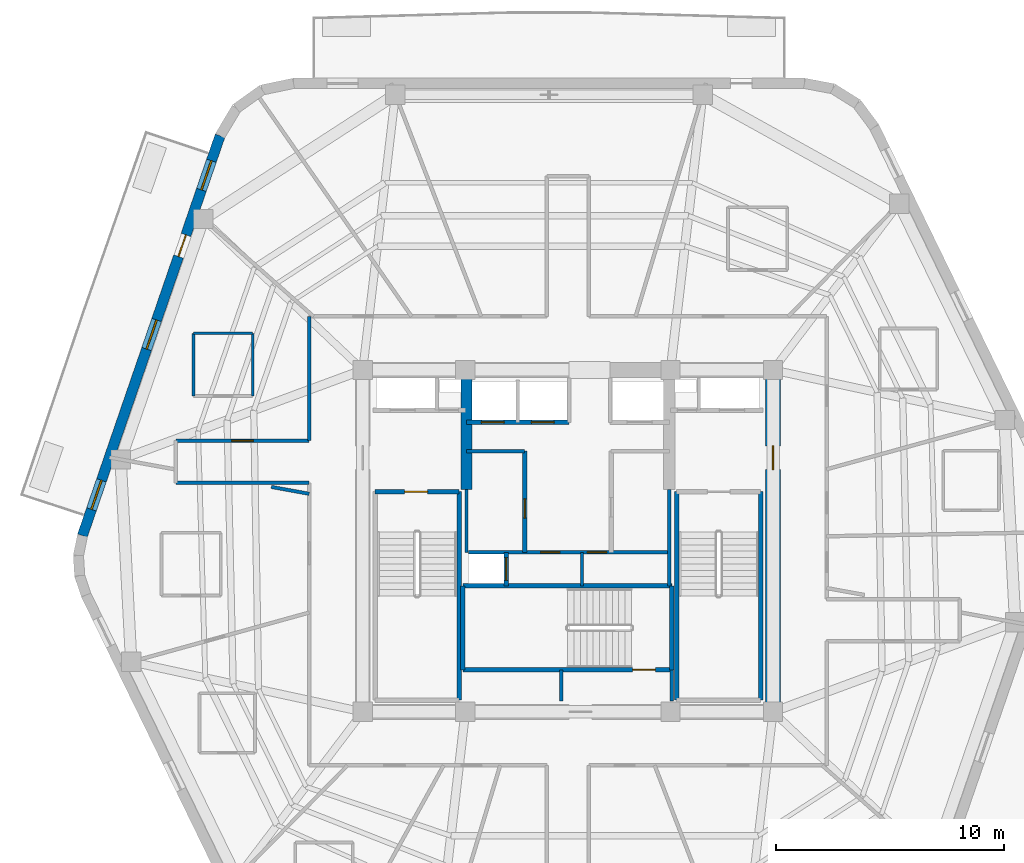
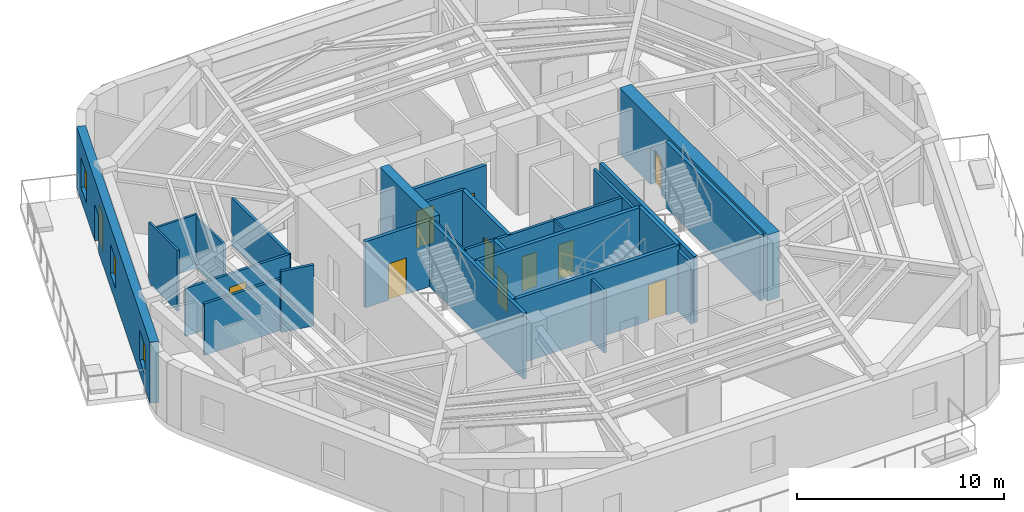
# One storey, part 4 of 9: 28 walls, 11 doors, 3 windows, 14 openings.
"""IFC4 building model written with IfcOpenShell, lengths in metres."""

from ifc_helpers import new_model, si_unit, direction, frame, frame_2d, origin, place, context, subcontext, project, spatial, rectangle, extrude, material, layer, layer_set, type_object, element, fill, save


model = new_model("IFC4")

# Units and contexts
model_context = context("Model", 3, precision=1e-05, world=origin(), true_north=direction((0.0, 1.0)))
body_context = subcontext(model_context, "Body", "Model", "MODEL_VIEW")
ifc_project = project(units=[si_unit("LENGTHUNIT", "METRE"), si_unit("AREAUNIT", "SQUARE_METRE"), si_unit("VOLUMEUNIT", "CUBIC_METRE"), si_unit("PLANEANGLEUNIT", "RADIAN"), si_unit("MASSUNIT", "GRAM", prefix="KILO")], contexts=[model_context])

# Site, building, storey
site_placement = place(None, origin())
site = spatial("IfcSite", under=ifc_project, at=site_placement, CompositionType="ELEMENT")
building_placement = place(site_placement, origin())
building = spatial("IfcBuilding", under=site, at=building_placement, Name="Kilnhurst Terrace Hotel", CompositionType="ELEMENT")
storey_placement = place(building_placement, frame((0.0, 0.0, 297.60009765625)))
storey = spatial("IfcBuildingStorey", under=building, at=storey_placement, Name="L74", CompositionType="ELEMENT", Elevation=297.60009765625)

# Wall, openings, door, windows
ifc_material_1 = material(Name="Precast concrete C40/50", Category="concrete")
ifc_layer_1 = layer(ifc_material_1, 0.449951171875, Name="Precast concrete C40/50")
ifc_layer_set_1 = layer_set([ifc_layer_1], Name="Precast concrete C40/50")
wall_type_1 = type_object("IfcWallType", Name="WL-BRK-450", PredefinedType="SOLIDWALL", material=ifc_layer_set_1)
wall_1_placement = place(storey_placement, frame((-15.260498046875, 17.776123046875, 0.0), z_axis=(0.0, 0.0, 1.0), x_axis=(-0.325407437101, -0.945573899745, 0.0)))
wall_1 = element("IfcWall", 1, at=wall_1_placement, inside=storey, type_object=wall_type_1, Name="L74 Exterior Brick Facade Wall F5", PredefinedType="SOLIDWALL", context=body_context, shape_type="SweptSolid", body=[
    extrude(rectangle(XDim=18.552490234375, YDim=0.449951171875, at=frame_2d((9.2763671875, 0.0))), origin(), (0.0, 0.0, 1.0), 3.599853515625),
])
opening_1_placement = place(wall_1_placement, frame((4.60205078125, 0.0, 0.0)))
opening_1 = element("IfcOpeningElement", 2, at=opening_1_placement, cuts=wall_1, Name="Opening BD-1000", PredefinedType="OPENING", context=body_context, shape_type="SweptSolid", body=[
    extrude(rectangle(XDim=1.0, YDim=2.14990234375, at=frame_2d((0.5, 1.074951171875))), frame((0.0, 0.23486328125, 0.0), z_axis=(0.0, -1.0, 0.0), x_axis=(1.0, 0.0, 0.0)), (0.0, 0.0, 1.0), 0.469970703125),
])
opening_2_placement = place(wall_1_placement, frame((1.160888671875, 0.0, 0.800048828125)))
opening_2 = element("IfcOpeningElement", 3, at=opening_2_placement, cuts=wall_1, Name="Opening W-06", PredefinedType="OPENING", context=body_context, shape_type="SweptSolid", body=[
    extrude(rectangle(XDim=1.35009765625, YDim=1.75, at=frame_2d((0.675048828125, 0.875))), frame((0.0, 0.23486328125, 0.0), z_axis=(0.0, -1.0, 0.0), x_axis=(1.0, 0.0, 0.0)), (0.0, 0.0, 1.0), 0.469970703125),
])
opening_3_placement = place(wall_1_placement, frame((8.548095703125, 0.0, 0.800048828125)))
opening_3 = element("IfcOpeningElement", 4, at=opening_3_placement, cuts=wall_1, Name="Opening W-06", PredefinedType="OPENING", context=body_context, shape_type="SweptSolid", body=[
    extrude(rectangle(XDim=1.35009765625, YDim=1.75, at=frame_2d((0.675048828125, 0.875))), frame((0.0, 0.23486328125, 0.0), z_axis=(0.0, -1.0, 0.0), x_axis=(1.0, 0.0, 0.0)), (0.0, 0.0, 1.0), 0.469970703125),
])
opening_4_placement = place(wall_1_placement, frame((15.987060546875, 0.0, 0.800048828125)))
opening_4 = element("IfcOpeningElement", 5, at=opening_4_placement, cuts=wall_1, Name="Opening W-06", PredefinedType="OPENING", context=body_context, shape_type="SweptSolid", body=[
    extrude(rectangle(XDim=1.35009765625, YDim=1.75, at=frame_2d((0.675048828125, 0.875))), frame((0.0, 0.23486328125, 0.0), z_axis=(0.0, -1.0, 0.0), x_axis=(1.0, 0.0, 0.0)), (0.0, 0.0, 1.0), 0.469970703125),
])
ifc_material_2 = material(Name="Thermally Broken Bronze Aluminium Alloy 6063-T6 and Laminated Glass", Category="aluminium")
door_type_1 = type_object("IfcDoorType", Name="DR-EXT-BAL-1000", OperationType="NOTDEFINED", PredefinedType="DOOR", material=ifc_material_2)
door_1_placement = place(opening_1_placement, origin())
door_1 = element("IfcDoor", 6, at=door_1_placement, inside=storey, type_object=door_type_1, Name="L74 Planted Balcony Door BAL-L2B", OperationType="SINGLE_SWING_LEFT", OverallHeight=2.14990234375, OverallWidth=1.0, PredefinedType="DOOR", context=body_context, shape_type="SweptSolid", body=[
    extrude(rectangle(XDim=1.0, YDim=2.14990234375, at=frame_2d((0.5, 1.074951171875))), frame((0.0, 0.02490234375, 0.0), z_axis=(0.0, -1.0, 0.0), x_axis=(1.0, 0.0, 0.0)), (0.0, 0.0, 1.0), 0.050048828125),
])
fill(opening_1, door_1)
ifc_material_3 = material(Name="Thermally Broken Bronze Aluminium Alloy 6063-T6 and Low-E Glass", Category="aluminium")
window_type = type_object("IfcWindowType", Name="WIN-1350X1750", PartitioningType="SINGLE_PANEL", PredefinedType="WINDOW", material=ifc_material_3)
window_1_placement = place(opening_2_placement, origin())
window_1 = element("IfcWindow", 7, at=window_1_placement, inside=storey, type_object=window_type, Name="L74 Deep-Set Masonry Window F5.1", OverallHeight=1.75, OverallWidth=1.35009765625, PartitioningType="SINGLE_PANEL", PredefinedType="WINDOW", context=body_context, shape_type="SweptSolid", body=[
    extrude(rectangle(XDim=1.35009765625, YDim=1.75, at=frame_2d((0.675048828125, 0.875))), frame((0.0, 0.030029296875, 0.0), z_axis=(0.0, -1.0, 0.0), x_axis=(1.0, 0.0, 0.0)), (0.0, 0.0, 1.0), 0.06005859375),
])
fill(opening_2, window_1)
window_2_placement = place(opening_3_placement, origin())
window_2 = element("IfcWindow", 8, at=window_2_placement, inside=storey, type_object=window_type, Name="L74 Deep-Set Masonry Window F5.2", OverallHeight=1.75, OverallWidth=1.35009765625, PartitioningType="SINGLE_PANEL", PredefinedType="WINDOW", context=body_context, shape_type="SweptSolid", body=[
    extrude(rectangle(XDim=1.35009765625, YDim=1.75, at=frame_2d((0.675048828125, 0.875))), frame((0.0, 0.030029296875, 0.0), z_axis=(0.0, -1.0, 0.0), x_axis=(1.0, 0.0, 0.0)), (0.0, 0.0, 1.0), 0.06005859375),
])
fill(opening_3, window_2)
window_3_placement = place(opening_4_placement, origin())
window_3 = element("IfcWindow", 9, at=window_3_placement, inside=storey, type_object=window_type, Name="L74 Deep-Set Masonry Window F5.3", OverallHeight=1.75, OverallWidth=1.35009765625, PartitioningType="SINGLE_PANEL", PredefinedType="WINDOW", context=body_context, shape_type="SweptSolid", body=[
    extrude(rectangle(XDim=1.35009765625, YDim=1.75, at=frame_2d((0.675048828125, 0.875))), frame((0.0, 0.030029296875, 0.0), z_axis=(0.0, -1.0, 0.0), x_axis=(1.0, 0.0, 0.0)), (0.0, 0.0, 1.0), 0.06005859375),
])
fill(opening_4, window_3)

# Wall
ifc_material_4 = material(Name="Acoustic Double-Gypsum Corridor Partition Assembly")
ifc_layer_2 = layer(ifc_material_4, 0.14990234375, Name="Acoustic Double-Gypsum Corridor Partition Assembly")
ifc_layer_set_2 = layer_set([ifc_layer_2], Name="Acoustic Double-Gypsum Corridor Partition Assembly")
wall_type_2 = type_object("IfcWallType", Name="WL-COR-150", PredefinedType="PARTITIONING", material=ifc_layer_set_2)
wall_2_placement = place(storey_placement, frame((-11.35009765625, 2.550048828125, 0.0), z_axis=(0.0, 0.0, 1.0), x_axis=(-1.0, 0.0, 0.0)))
element("IfcWall", 10, at=wall_2_placement, inside=storey, type_object=wall_type_2, Name="L74 Interior Wall WL-L74-COR-02", PredefinedType="PARTITIONING", context=body_context, shape_type="SweptSolid", body=[
    extrude(rectangle(XDim=5.849853515625, YDim=0.14990234375, at=frame_2d((2.9248046875, 0.0))), origin(), (0.0, 0.0, 1.0), 3.040283203125),
])

# Wall, opening, door
wall_3_placement = place(storey_placement, frame((-17.199951171875, 4.39990234375, 0.0), z_axis=(0.0, 0.0, 1.0), x_axis=(1.0, 0.0, 0.0)))
wall_3 = element("IfcWall", 11, at=wall_3_placement, inside=storey, type_object=wall_type_2, Name="L74 Interior Wall WL-L74-COR-04", PredefinedType="PARTITIONING", context=body_context, shape_type="SweptSolid", body=[
    extrude(rectangle(XDim=5.849853515625, YDim=0.14990234375, at=frame_2d((2.9248046875, 0.0))), origin(), (0.0, 0.0, 1.0), 2.81640625),
])
opening_5_placement = place(wall_3_placement, frame((2.449951171875, 0.0, 0.0)))
opening_5 = element("IfcOpeningElement", 12, at=opening_5_placement, cuts=wall_3, Name="Opening D-60B", PredefinedType="OPENING", context=body_context, shape_type="SweptSolid", body=[
    extrude(rectangle(XDim=0.949951171875, YDim=2.030029296875, at=frame_2d((0.47509765625, 1.01513671875))), frame((0.0, 0.0849609375, 0.0), z_axis=(0.0, -1.0, 0.0), x_axis=(1.0, 0.0, 0.0)), (0.0, 0.0, 1.0), 0.169921875),
])
ifc_material_5 = material(Name="Acoustic Walnut Veneer Solid-Core Fire Door")
door_type_2 = type_object("IfcDoorType", Name="DR-FD60-950", OperationType="NOTDEFINED", PredefinedType="DOOR", material=ifc_material_5)
door_2_placement = place(opening_5_placement, origin())
door_2 = element("IfcDoor", 13, at=door_2_placement, inside=storey, type_object=door_type_2, Name="L74 Executive Suite Entry Door 7", OperationType="SINGLE_SWING_LEFT", OverallHeight=2.030029296875, OverallWidth=0.949951171875, PredefinedType="DOOR", context=body_context, shape_type="SweptSolid", body=[
    extrude(rectangle(XDim=0.949951171875, YDim=2.030029296875, at=frame_2d((0.47509765625, 1.01513671875))), frame((0.0, 0.02490234375, 0.0), z_axis=(0.0, -1.0, 0.0), x_axis=(1.0, 0.0, 0.0)), (0.0, 0.0, 1.0), 0.050048828125),
])
fill(opening_5, door_2)

# Wall
wall_4_placement = place(storey_placement, frame((-11.35009765625, 4.39990234375, 0.0), z_axis=(0.0, 0.0, 1.0), x_axis=(0.0, 1.0, 0.0)))
element("IfcWall", 14, at=wall_4_placement, inside=storey, type_object=wall_type_2, Name="L74 Interior Wall WL-L74-COR-05", PredefinedType="PARTITIONING", context=body_context, shape_type="SweptSolid", body=[
    extrude(rectangle(XDim=5.4501953125, YDim=0.14990234375, at=frame_2d((2.72509765625, 0.0))), origin(), (0.0, 0.0, 1.0), 2.81640625),
])

# Wall, opening, door
ifc_material_6 = material(Name="Concrete C60/75", Category="concrete")
ifc_layer_3 = layer(ifc_material_6, 0.64990234375, Name="Concrete C60/75")
ifc_layer_set_3 = layer_set([ifc_layer_3], Name="Concrete C60/75")
wall_type_3 = type_object("IfcWallType", Name="WL-CORE-650", PredefinedType="SHEAR", material=ifc_layer_set_3)
wall_5_placement = place(storey_placement, frame((9.0, -7.175048828125, 0.0), z_axis=(0.0, 0.0, 1.0), x_axis=(0.0, 1.0, 0.0)))
wall_5 = element("IfcWall", 15, at=wall_5_placement, inside=storey, type_object=wall_type_3, Name="L74 Core East Shear Wall", PredefinedType="SHEAR", context=body_context, shape_type="SweptSolid", body=[
    extrude(rectangle(XDim=14.35009765625, YDim=0.64990234375, at=frame_2d((7.175048828125, 0.0))), origin(), (0.0, 0.0, 1.0), 3.89990234375),
])
opening_6_placement = place(wall_5_placement, frame((10.300048828125, 0.0, 0.0)))
opening_6 = element("IfcOpeningElement", 16, at=opening_6_placement, cuts=wall_5, Name="Opening D-90A", PredefinedType="OPENING", context=body_context, shape_type="SweptSolid", body=[
    extrude(rectangle(XDim=1.050048828125, YDim=2.14990234375, at=frame_2d((0.52490234375, 1.074951171875))), frame((0.0, 0.3349609375, 0.0), z_axis=(0.0, -1.0, 0.0), x_axis=(1.0, 0.0, 0.0)), (0.0, 0.0, 1.0), 0.669921875),
])
ifc_material_7 = material(Name="Painted Hollow Metal Steel ASTM A36 Fire Door", Category="steel")
door_type_3 = type_object("IfcDoorType", Name="DR-FD90-1050", OperationType="NOTDEFINED", PredefinedType="DOOR", material=ifc_material_7)
door_3_placement = place(opening_6_placement, origin())
door_3 = element("IfcDoor", 17, at=door_3_placement, inside=storey, type_object=door_type_3, Name="L74 East Firefighting Lobby Door", OperationType="SINGLE_SWING_LEFT", OverallHeight=2.14990234375, OverallWidth=1.050048828125, PredefinedType="DOOR", context=body_context, shape_type="SweptSolid", body=[
    extrude(rectangle(XDim=1.050048828125, YDim=2.14990234375, at=frame_2d((0.52490234375, 1.074951171875))), frame((0.0, 0.02490234375, 0.0), z_axis=(0.0, -1.0, 0.0), x_axis=(1.0, 0.0, 0.0)), (0.0, 0.0, 1.0), 0.050048828125),
])
fill(opening_6, door_3)

# Walls
ifc_layer_4 = layer(ifc_material_6, 0.5, Name="Concrete C60/75")
ifc_layer_set_4 = layer_set([ifc_layer_4], Name="Concrete C60/75")
wall_type_4 = type_object("IfcWallType", Name="WL-CORE-WEB-500", PredefinedType="SHEAR", material=ifc_layer_set_4)
wall_6_placement = place(storey_placement, frame((-4.449951171875, 2.25, 0.0), z_axis=(0.0, 0.0, 1.0), x_axis=(0.0, 1.0, 0.0)))
element("IfcWall", 18, at=wall_6_placement, inside=storey, type_object=wall_type_4, Name="L74 Core Internal West Shear Web", PredefinedType="SHEAR", context=body_context, shape_type="SweptSolid", body=[
    extrude(rectangle(XDim=4.925048828125, YDim=0.5, at=frame_2d((2.46240234375, 0.0))), origin(), (0.0, 0.0, 1.0), 3.89990234375),
])
ifc_material_8 = material(Name="STC-58 Acoustic Twin-Frame Guestroom Demising Partition")
ifc_layer_5 = layer(ifc_material_8, 0.14990234375, Name="STC-58 Acoustic Twin-Frame Guestroom Demising Partition")
ifc_layer_set_5 = layer_set([ifc_layer_5], Name="STC-58 Acoustic Twin-Frame Guestroom Demising Partition")
wall_type_5 = type_object("IfcWallType", Name="WL-DEM-150", PredefinedType="PARTITIONING", material=ifc_layer_set_5)
wall_7_placement = place(storey_placement, frame((-11.35009765625, 2.067138671875, 0.0), z_axis=(0.0, 0.0, 1.0), x_axis=(-0.983807459651, 0.179228575665, 0.0)))
element("IfcWall", 19, at=wall_7_placement, inside=storey, type_object=wall_type_5, Name="L74 Interior Wall WL-L74-DEM-COL06-08-1", PredefinedType="PARTITIONING", context=body_context, shape_type="SweptSolid", body=[
    extrude(rectangle(XDim=1.6904296875, YDim=0.14990234375, at=frame_2d((0.84521484375, 0.0))), origin(), (0.0, 0.0, 1.0), 3.599853515625),
])
ifc_material_9 = material(Name="120 mm Moisture-Resistant Tile-Backed Bathroom Partition")
ifc_layer_6 = layer(ifc_material_9, 0.1201171875, Name="120 mm Moisture-Resistant Tile-Backed Bathroom Partition")
ifc_layer_set_6 = layer_set([ifc_layer_6], Name="120 mm Moisture-Resistant Tile-Backed Bathroom Partition")
wall_type_6 = type_object("IfcWallType", Name="WL-PART-120", PredefinedType="PARTITIONING", material=ifc_layer_set_6)
wall_8_placement = place(storey_placement, frame((0.6201171875, -1.971923828125, 0.0), z_axis=(0.0, 0.0, 1.0), x_axis=(0.0, 1.0, 0.0)))
element("IfcWall", 20, at=wall_8_placement, inside=storey, type_object=wall_type_6, Name="L74 Interior Wall WL-L74-BOH-C1", PredefinedType="PARTITIONING", context=body_context, shape_type="SweptSolid", body=[
    extrude(rectangle(XDim=1.471923828125, YDim=0.1201171875, at=frame_2d((0.73583984375, 0.0))), origin(), (0.0, 0.0, 1.0), 3.599853515625),
])
wall_9_placement = place(storey_placement, frame((-13.827880859375, 6.35888671875, 0.0), z_axis=(0.0, 0.0, 1.0), x_axis=(0.0, 1.0, 0.0)))
element("IfcWall", 21, at=wall_9_placement, inside=storey, type_object=wall_type_6, Name="L74 Interior Wall WL-L74-BTH-07-2", PredefinedType="PARTITIONING", context=body_context, shape_type="SweptSolid", body=[
    extrude(rectangle(XDim=2.75, YDim=0.1201171875, at=frame_2d((1.375, 0.0))), origin(), (0.0, 0.0, 1.0), 3.040283203125),
])
wall_10_placement = place(storey_placement, frame((-13.827880859375, 9.10888671875, 0.0), z_axis=(0.0, 0.0, 1.0), x_axis=(-1.0, 0.0, 0.0)))
element("IfcWall", 22, at=wall_10_placement, inside=storey, type_object=wall_type_6, Name="L74 Interior Wall WL-L74-BTH-07-3", PredefinedType="PARTITIONING", context=body_context, shape_type="SweptSolid", body=[
    extrude(rectangle(XDim=2.60009765625, YDim=0.1201171875, at=frame_2d((1.300048828125, 0.0))), origin(), (0.0, 0.0, 1.0), 3.17236328125),
])
wall_11_placement = place(storey_placement, frame((-16.427978515625, 9.10888671875, 0.0), z_axis=(0.0, 0.0, 1.0), x_axis=(0.0, -1.0, 0.0)))
element("IfcWall", 23, at=wall_11_placement, inside=storey, type_object=wall_type_6, Name="L74 Interior Wall WL-L74-BTH-07-4", PredefinedType="PARTITIONING", context=body_context, shape_type="SweptSolid", body=[
    extrude(rectangle(XDim=2.75, YDim=0.1201171875, at=frame_2d((1.375, 0.0))), origin(), (0.0, 0.0, 1.0), 3.599853515625),
])
ifc_material_10 = material(Name="Fire-Rated Gypsum Shaftliner Assembly")
ifc_layer_7 = layer(ifc_material_10, 0.14990234375, Name="Fire-Rated Gypsum Shaftliner Assembly")
ifc_layer_set_7 = layer_set([ifc_layer_7], Name="Fire-Rated Gypsum Shaftliner Assembly")
wall_type_7 = type_object("IfcWallType", Name="WL-SHAFT-150", PredefinedType="PARTITIONING", material=ifc_layer_set_7)
for number, where, z_axis, x_axis, name in (
    (24, (-0.300048828125, -7.02001953125, 0.0), (0.0, 0.0, 1.0), (0.0, 1.0, 0.0), "L74 Interior Wall WL-L74-ST3-PSGW"),
    (25, (4.55810546875, -7.02001953125, 0.0), (0.0, 0.0, 1.0), (0.0, 1.0, 0.0), "L74 Interior Wall WL-L74-ST3-PSGE"),
):
    element("IfcWall", number, at=place(storey_placement, frame(where, z_axis=z_axis, x_axis=x_axis)), inside=storey, type_object=wall_type_7, Name=name, PredefinedType="PARTITIONING", context=body_context, shape_type="SweptSolid", body=[
        extrude(rectangle(XDim=1.362060546875, YDim=0.14990234375, at=frame_2d((0.68115234375, 0.0))), origin(), (0.0, 0.0, 1.0), 3.599853515625),
    ])
wall_12_placement = place(storey_placement, frame((-4.449951171875, -0.5, 0.0), z_axis=(0.0, 0.0, 1.0), x_axis=(0.0, 1.0, 0.0)))
element("IfcWall", 26, at=wall_12_placement, inside=storey, type_object=wall_type_7, Name="L74 Interior Wall WL-L74-XLOB-W", PredefinedType="PARTITIONING", context=body_context, shape_type="SweptSolid", body=[
    extrude(rectangle(XDim=2.75, YDim=0.14990234375, at=frame_2d((1.375, 0.0))), origin(), (0.0, 0.0, 1.0), 3.599853515625),
])
wall_13_placement = place(storey_placement, frame((4.449951171875, -1.971923828125, 0.0), z_axis=(0.0, 0.0, 1.0), x_axis=(0.0, 1.0, 0.0)))
element("IfcWall", 27, at=wall_13_placement, inside=storey, type_object=wall_type_7, Name="L74 Interior Wall WL-L74-XLOB-E", PredefinedType="PARTITIONING", context=body_context, shape_type="SweptSolid", body=[
    extrude(rectangle(XDim=4.221923828125, YDim=0.14990234375, at=frame_2d((2.11083984375, 0.0))), origin(), (0.0, 0.0, 1.0), 3.599853515625),
])
wall_14_placement = place(storey_placement, frame((-4.449951171875, 3.93994140625, 0.0), z_axis=(0.0, 0.0, 1.0), x_axis=(1.0, 0.0, 0.0)))
element("IfcWall", 28, at=wall_14_placement, inside=storey, type_object=wall_type_7, Name="L74 Interior Wall WL-L74-LR-NORTH", PredefinedType="PARTITIONING", context=body_context, shape_type="SweptSolid", body=[
    extrude(rectangle(XDim=2.550048828125, YDim=0.14990234375, at=frame_2d((1.27490234375, 0.0))), origin(), (0.0, 0.0, 1.0), 3.599853515625),
])

# Wall, openings, doors
wall_15_placement = place(storey_placement, frame((-4.360107421875, -0.489990234375, 0.0), z_axis=(0.0, 0.0, 1.0), x_axis=(1.0, 0.0, 0.0)))
wall_15 = element("IfcWall", 29, at=wall_15_placement, inside=storey, type_object=wall_type_7, Name="L74 Interior Wall WL-L74-BOH-N", PredefinedType="PARTITIONING", context=body_context, shape_type="SweptSolid", body=[
    extrude(rectangle(XDim=8.72021484375, YDim=0.14990234375, at=frame_2d((4.360107421875, 0.0))), origin(), (0.0, 0.0, 1.0), 3.599853515625),
])
opening_7_placement = place(wall_15_placement, frame((3.159912109375, 0.0, 0.0)))
opening_7 = element("IfcOpeningElement", 30, at=opening_7_placement, cuts=wall_15, Name="Opening D-60D", PredefinedType="OPENING", context=body_context, shape_type="SweptSolid", body=[
    extrude(rectangle(XDim=0.85009765625, YDim=2.030029296875, at=frame_2d((0.425048828125, 1.01513671875))), frame((0.0, 0.0849609375, 0.0), z_axis=(0.0, -1.0, 0.0), x_axis=(1.0, 0.0, 0.0)), (0.0, 0.0, 1.0), 0.169921875),
])
opening_8_placement = place(wall_15_placement, frame((5.2099609375, 0.0, 0.0)))
opening_8 = element("IfcOpeningElement", 31, at=opening_8_placement, cuts=wall_15, Name="Opening D-60D", PredefinedType="OPENING", context=body_context, shape_type="SweptSolid", body=[
    extrude(rectangle(XDim=0.85009765625, YDim=2.030029296875, at=frame_2d((0.425048828125, 1.01513671875))), frame((0.0, 0.0849609375, 0.0), z_axis=(0.0, -1.0, 0.0), x_axis=(1.0, 0.0, 0.0)), (0.0, 0.0, 1.0), 0.169921875),
])
ifc_material_11 = material(Name="Painted Hollow Metal Steel ASTM A36 Riser Door", Category="steel")
door_type_4 = type_object("IfcDoorType", Name="DR-FD60-850", OperationType="NOTDEFINED", PredefinedType="DOOR", material=ifc_material_11)
door_4_placement = place(opening_7_placement, origin())
door_4 = element("IfcDoor", 32, at=door_4_placement, inside=storey, type_object=door_type_4, Name="L74 Housekeeping Laundry Door", OperationType="SINGLE_SWING_LEFT", OverallHeight=2.030029296875, OverallWidth=0.85009765625, PredefinedType="DOOR", context=body_context, shape_type="SweptSolid", body=[
    extrude(rectangle(XDim=0.85009765625, YDim=2.030029296875, at=frame_2d((0.425048828125, 1.01513671875))), frame((0.0, 0.02490234375, 0.0), z_axis=(0.0, -1.0, 0.0), x_axis=(1.0, 0.0, 0.0)), (0.0, 0.0, 1.0), 0.050048828125),
])
fill(opening_7, door_4)
door_5_placement = place(opening_8_placement, origin())
door_5 = element("IfcDoor", 33, at=door_5_placement, inside=storey, type_object=door_type_4, Name="L74 Room Service Kitchen Door", OperationType="SINGLE_SWING_RIGHT", OverallHeight=2.030029296875, OverallWidth=0.85009765625, PredefinedType="DOOR", context=body_context, shape_type="SweptSolid", body=[
    extrude(rectangle(XDim=0.85009765625, YDim=2.030029296875, at=frame_2d((0.425048828125, 1.01513671875))), frame((0.0, 0.02490234375, 0.0), z_axis=(0.0, -1.0, 0.0), x_axis=(1.0, 0.0, 0.0)), (0.0, 0.0, 1.0), 0.050048828125),
])
fill(opening_8, door_5)

# Wall, opening, door
ifc_material_12 = material(Name="Autoclaved Aerated Concrete C30/37 and Gypsum Shaft Assembly", Category="concrete")
ifc_layer_8 = layer(ifc_material_12, 0.199951171875, Name="Autoclaved Aerated Concrete C30/37 and Gypsum Shaft Assembly")
ifc_layer_set_8 = layer_set([ifc_layer_8], Name="Autoclaved Aerated Concrete C30/37 and Gypsum Shaft Assembly")
wall_type_8 = type_object("IfcWallType", Name="WL-SHAFT-200", PredefinedType="PARTITIONING", material=ifc_layer_set_8)
wall_16_placement = place(storey_placement, frame((-2.699951171875, -1.971923828125, 0.0), z_axis=(0.0, 0.0, 1.0), x_axis=(0.0, 1.0, 0.0)))
wall_16 = element("IfcWall", 34, at=wall_16_placement, inside=storey, type_object=wall_type_8, Name="L74 Interior Wall WL-L74-SRV1-E", PredefinedType="PARTITIONING", context=body_context, shape_type="SweptSolid", body=[
    extrude(rectangle(XDim=1.471923828125, YDim=0.199951171875, at=frame_2d((0.73583984375, 0.0))), origin(), (0.0, 0.0, 1.0), 3.599853515625),
])
opening_9_placement = place(wall_16_placement, frame((0.239990234375, 0.0, 0.0)))
opening_9 = element("IfcOpeningElement", 35, at=opening_9_placement, cuts=wall_16, Name="Opening LD-SV", PredefinedType="OPENING", context=body_context, shape_type="SweptSolid", body=[
    extrude(rectangle(XDim=1.0, YDim=2.199951171875, at=frame_2d((0.5, 1.10009765625))), frame((0.0, 0.10986328125, 0.0), z_axis=(0.0, -1.0, 0.0), x_axis=(1.0, 0.0, 0.0)), (0.0, 0.0, 1.0), 0.219970703125),
])
ifc_material_13 = material(Name="Bronze-Anodized Stainless Steel AISI 316L Sliding Door", Category="steel")
door_type_5 = type_object("IfcDoorType", Name="DR-LIFT-1000", OperationType="NOTDEFINED", PredefinedType="DOOR", material=ifc_material_13)
door_6_placement = place(opening_9_placement, origin())
door_6 = element("IfcDoor", 36, at=door_6_placement, inside=storey, type_object=door_type_5, Name="L74 Service Lift SRV-1 Landing Door", OperationType="SLIDING_TO_LEFT", OverallHeight=2.199951171875, OverallWidth=1.0, PredefinedType="DOOR", context=body_context, shape_type="SweptSolid", body=[
    extrude(rectangle(XDim=1.0, YDim=2.199951171875, at=frame_2d((0.5, 1.10009765625))), frame((0.0, 0.02490234375, 0.0), z_axis=(0.0, -1.0, 0.0), x_axis=(1.0, 0.0, 0.0)), (0.0, 0.0, 1.0), 0.050048828125),
])
fill(opening_9, door_6)

# Wall, openings, doors
wall_17_placement = place(storey_placement, frame((-4.449951171875, 5.199951171875, 0.0), z_axis=(0.0, 0.0, 1.0), x_axis=(1.0, 0.0, 0.0)))
wall_17 = element("IfcWall", 37, at=wall_17_placement, inside=storey, type_object=wall_type_8, Name="L74 Interior Wall WL-L74-HR-SW", PredefinedType="PARTITIONING", context=body_context, shape_type="SweptSolid", body=[
    extrude(rectangle(XDim=4.5, YDim=0.199951171875, at=frame_2d((2.25, 0.0))), origin(), (0.0, 0.0, 1.0), 3.599853515625),
])
opening_10_placement = place(wall_17_placement, frame((0.64990234375, 0.0, 0.0)))
opening_10 = element("IfcOpeningElement", 38, at=opening_10_placement, cuts=wall_17, Name="Opening LD-HR", PredefinedType="OPENING", context=body_context, shape_type="SweptSolid", body=[
    extrude(rectangle(XDim=1.0, YDim=2.199951171875, at=frame_2d((0.5, 1.10009765625))), frame((0.0, 0.10986328125, 0.0), z_axis=(0.0, -1.0, 0.0), x_axis=(1.0, 0.0, 0.0)), (0.0, 0.0, 1.0), 0.219970703125),
])
opening_11_placement = place(wall_17_placement, frame((2.85009765625, 0.0, 0.0)))
opening_11 = element("IfcOpeningElement", 39, at=opening_11_placement, cuts=wall_17, Name="Opening LD-HS", PredefinedType="OPENING", context=body_context, shape_type="SweptSolid", body=[
    extrude(rectangle(XDim=1.0, YDim=2.199951171875, at=frame_2d((0.5, 1.10009765625))), frame((0.0, 0.10986328125, 0.0), z_axis=(0.0, -1.0, 0.0), x_axis=(1.0, 0.0, 0.0)), (0.0, 0.0, 1.0), 0.219970703125),
])
door_7_placement = place(opening_10_placement, origin())
door_7 = element("IfcDoor", 40, at=door_7_placement, inside=storey, type_object=door_type_5, Name="L74 High Rise Lift HR-1 Landing Door", OperationType="SLIDING_TO_LEFT", OverallHeight=2.199951171875, OverallWidth=1.0, PredefinedType="DOOR", context=body_context, shape_type="SweptSolid", body=[
    extrude(rectangle(XDim=1.0, YDim=2.199951171875, at=frame_2d((0.5, 1.10009765625))), frame((0.0, 0.02490234375, 0.0), z_axis=(0.0, -1.0, 0.0), x_axis=(1.0, 0.0, 0.0)), (0.0, 0.0, 1.0), 0.050048828125),
])
fill(opening_10, door_7)
door_8_placement = place(opening_11_placement, origin())
door_8 = element("IfcDoor", 41, at=door_8_placement, inside=storey, type_object=door_type_5, Name="L74 High Rise Lift HR-3 Landing Door", OperationType="SLIDING_TO_RIGHT", OverallHeight=2.199951171875, OverallWidth=1.0, PredefinedType="DOOR", context=body_context, shape_type="SweptSolid", body=[
    extrude(rectangle(XDim=1.0, YDim=2.199951171875, at=frame_2d((0.5, 1.10009765625))), frame((0.0, 0.02490234375, 0.0), z_axis=(0.0, -1.0, 0.0), x_axis=(1.0, 0.0, 0.0)), (0.0, 0.0, 1.0), 0.050048828125),
])
fill(opening_11, door_8)

# Wall, opening, door
wall_18_placement = place(storey_placement, frame((-1.89990234375, -0.5, 0.0), z_axis=(0.0, 0.0, 1.0), x_axis=(0.0, 1.0, 0.0)))
wall_18 = element("IfcWall", 42, at=wall_18_placement, inside=storey, type_object=wall_type_8, Name="L74 Interior Wall WL-L74-LR-FRONT", PredefinedType="PARTITIONING", context=body_context, shape_type="SweptSolid", body=[
    extrude(rectangle(XDim=4.43994140625, YDim=0.199951171875, at=frame_2d((2.219970703125, 0.0))), origin(), (0.0, 0.0, 1.0), 3.599853515625),
])
opening_12_placement = place(wall_18_placement, frame((1.5, 0.0, 0.0)))
opening_12 = element("IfcOpeningElement", 43, at=opening_12_placement, cuts=wall_18, Name="Opening D-60D", PredefinedType="OPENING", context=body_context, shape_type="SweptSolid", body=[
    extrude(rectangle(XDim=0.85009765625, YDim=2.030029296875, at=frame_2d((0.425048828125, 1.01513671875))), frame((0.0, 0.10986328125, 0.0), z_axis=(0.0, -1.0, 0.0), x_axis=(1.0, 0.0, 0.0)), (0.0, 0.0, 1.0), 0.219970703125),
])
door_9_placement = place(opening_12_placement, origin())
door_9 = element("IfcDoor", 44, at=door_9_placement, inside=storey, type_object=door_type_4, Name="L74 Reclaimed Linen Room Door", OperationType="SINGLE_SWING_LEFT", OverallHeight=2.030029296875, OverallWidth=0.85009765625, PredefinedType="DOOR", context=body_context, shape_type="SweptSolid", body=[
    extrude(rectangle(XDim=0.85009765625, YDim=2.030029296875, at=frame_2d((0.425048828125, 1.01513671875))), frame((0.0, 0.02490234375, 0.0), z_axis=(0.0, -1.0, 0.0), x_axis=(1.0, 0.0, 0.0)), (0.0, 0.0, 1.0), 0.050048828125),
])
fill(opening_12, door_9)

# Wall
ifc_material_14 = material(Name="Concrete C50/60", Category="concrete")
ifc_layer_9 = layer(ifc_material_14, 0.199951171875, Name="Concrete C50/60")
ifc_layer_set_9 = layer_set([ifc_layer_9], Name="Concrete C50/60")
wall_type_9 = type_object("IfcWallType", Name="WL-STAIR-RC-200", PredefinedType="SHEAR", material=ifc_layer_set_9)
wall_19_placement = place(storey_placement, frame((-4.77197265625, -6.985107421875, 0.0), z_axis=(0.0, 0.0, 1.0), x_axis=(0.0, 1.0, 0.0)))
element("IfcWall", 45, at=wall_19_placement, inside=storey, type_object=wall_type_9, Name="L74 Structural Stair Shaft Wall WL-L74-ST1-E", PredefinedType="SHEAR", context=body_context, shape_type="SweptSolid", body=[
    extrude(rectangle(XDim=9.14306640625, YDim=0.199951171875, at=frame_2d((4.571533203125, 0.0))), origin(), (0.0, 0.0, 1.0), 3.89990234375),
])

# Wall, opening, door
wall_20_placement = place(storey_placement, frame((-8.4580078125, 2.157958984375, 0.0), z_axis=(0.0, 0.0, 1.0), x_axis=(1.0, 0.0, 0.0)))
wall_20 = element("IfcWall", 46, at=wall_20_placement, inside=storey, type_object=wall_type_9, Name="L74 Structural Stair Shaft Wall WL-L74-ST1-N", PredefinedType="SHEAR", context=body_context, shape_type="SweptSolid", body=[
    extrude(rectangle(XDim=3.68603515625, YDim=0.199951171875, at=frame_2d((1.843017578125, 0.0))), origin(), (0.0, 0.0, 1.0), 3.89990234375),
])
opening_13_placement = place(wall_20_placement, frame((1.300048828125, 0.0, 0.0)))
opening_13 = element("IfcOpeningElement", 47, at=opening_13_placement, cuts=wall_20, Name="Opening D-90B", PredefinedType="OPENING", context=body_context, shape_type="SweptSolid", body=[
    extrude(rectangle(XDim=1.0, YDim=2.14990234375, at=frame_2d((0.5, 1.074951171875))), frame((0.0, 0.10986328125, 0.0), z_axis=(0.0, -1.0, 0.0), x_axis=(1.0, 0.0, 0.0)), (0.0, 0.0, 1.0), 0.219970703125),
])
door_type_6 = type_object("IfcDoorType", Name="DR-FD90-1000", OperationType="NOTDEFINED", PredefinedType="DOOR", material=ifc_material_7)
door_10_placement = place(opening_13_placement, origin())
door_10 = element("IfcDoor", 48, at=door_10_placement, inside=storey, type_object=door_type_6, Name="L74 Stair ST-1 Door", OperationType="SINGLE_SWING_LEFT", OverallHeight=2.14990234375, OverallWidth=1.0, PredefinedType="DOOR", context=body_context, shape_type="SweptSolid", body=[
    extrude(rectangle(XDim=1.0, YDim=2.14990234375, at=frame_2d((0.5, 1.074951171875))), frame((0.0, 0.02490234375, 0.0), z_axis=(0.0, -1.0, 0.0), x_axis=(1.0, 0.0, 0.0)), (0.0, 0.0, 1.0), 0.050048828125),
])
fill(opening_13, door_10)

# Walls
for number, where, z_axis, x_axis, name in (
    (49, (4.77197265625, -6.985107421875, 0.0), (0.0, 0.0, 1.0), (0.0, 1.0, 0.0), "L74 Structural Stair Shaft Wall WL-L74-ST2-W"),
    (50, (8.4580078125, -6.985107421875, 0.0), (0.0, 0.0, 1.0), (0.0, 1.0, 0.0), "L74 Structural Stair Shaft Wall WL-L74-ST2-E"),
):
    element("IfcWall", number, at=place(storey_placement, frame(where, z_axis=z_axis, x_axis=x_axis)), inside=storey, type_object=wall_type_9, Name=name, PredefinedType="SHEAR", context=body_context, shape_type="SweptSolid", body=[
        extrude(rectangle(XDim=9.14306640625, YDim=0.199951171875, at=frame_2d((4.571533203125, 0.0))), origin(), (0.0, 0.0, 1.0), 3.89990234375),
    ])
wall_21_placement = place(storey_placement, frame((-4.60791015625, -5.657958984375, 0.0), z_axis=(0.0, 0.0, 1.0), x_axis=(0.0, 1.0, 0.0)))
element("IfcWall", 51, at=wall_21_placement, inside=storey, type_object=wall_type_9, Name="L74 Structural Stair Shaft Wall WL-L74-ST3-W", PredefinedType="SHEAR", context=body_context, shape_type="SweptSolid", body=[
    extrude(rectangle(XDim=3.68603515625, YDim=0.199951171875, at=frame_2d((1.843017578125, 0.0))), origin(), (0.0, 0.0, 1.0), 3.89990234375),
])

# Wall, opening, door
wall_22_placement = place(storey_placement, frame((-4.60791015625, -5.657958984375, 0.0), z_axis=(0.0, 0.0, 1.0), x_axis=(1.0, 0.0, 0.0)))
wall_22 = element("IfcWall", 52, at=wall_22_placement, inside=storey, type_object=wall_type_9, Name="L74 Structural Stair Shaft Wall WL-L74-ST3-S", PredefinedType="SHEAR", context=body_context, shape_type="SweptSolid", body=[
    extrude(rectangle(XDim=9.166015625, YDim=0.199951171875, at=frame_2d((4.5830078125, 0.0))), origin(), (0.0, 0.0, 1.0), 3.89990234375),
])
opening_14_placement = place(wall_22_placement, frame((7.449951171875, 0.0, 0.0)))
opening_14 = element("IfcOpeningElement", 53, at=opening_14_placement, cuts=wall_22, Name="Opening D-90B", PredefinedType="OPENING", context=body_context, shape_type="SweptSolid", body=[
    extrude(rectangle(XDim=1.0, YDim=2.14990234375, at=frame_2d((0.5, 1.074951171875))), frame((0.0, 0.10986328125, 0.0), z_axis=(0.0, -1.0, 0.0), x_axis=(1.0, 0.0, 0.0)), (0.0, 0.0, 1.0), 0.219970703125),
])
door_11_placement = place(opening_14_placement, origin())
door_11 = element("IfcDoor", 54, at=door_11_placement, inside=storey, type_object=door_type_6, Name="L74 Stair ST-3 Shaft Door", OperationType="SINGLE_SWING_LEFT", OverallHeight=2.14990234375, OverallWidth=1.0, PredefinedType="DOOR", context=body_context, shape_type="SweptSolid", body=[
    extrude(rectangle(XDim=1.0, YDim=2.14990234375, at=frame_2d((0.5, 1.074951171875))), frame((0.0, 0.02490234375, 0.0), z_axis=(0.0, -1.0, 0.0), x_axis=(1.0, 0.0, 0.0)), (0.0, 0.0, 1.0), 0.050048828125),
])
fill(opening_14, door_11)

# Walls
wall_23_placement = place(storey_placement, frame((-4.60791015625, -1.971923828125, 0.0), z_axis=(0.0, 0.0, 1.0), x_axis=(1.0, 0.0, 0.0)))
element("IfcWall", 55, at=wall_23_placement, inside=storey, type_object=wall_type_9, Name="L74 Structural Stair Shaft Wall WL-L74-ST3-N", PredefinedType="SHEAR", context=body_context, shape_type="SweptSolid", body=[
    extrude(rectangle(XDim=9.166015625, YDim=0.199951171875, at=frame_2d((4.5830078125, 0.0))), origin(), (0.0, 0.0, 1.0), 3.89990234375),
])
wall_24_placement = place(storey_placement, frame((4.55810546875, -5.657958984375, 0.0), z_axis=(0.0, 0.0, 1.0), x_axis=(0.0, 1.0, 0.0)))
element("IfcWall", 56, at=wall_24_placement, inside=storey, type_object=wall_type_9, Name="L74 Structural Stair Shaft Wall WL-L74-ST3-E", PredefinedType="SHEAR", context=body_context, shape_type="SweptSolid", body=[
    extrude(rectangle(XDim=3.68603515625, YDim=0.199951171875, at=frame_2d((1.843017578125, 0.0))), origin(), (0.0, 0.0, 1.0), 3.89990234375),
])

save(model, "model.ifc")
